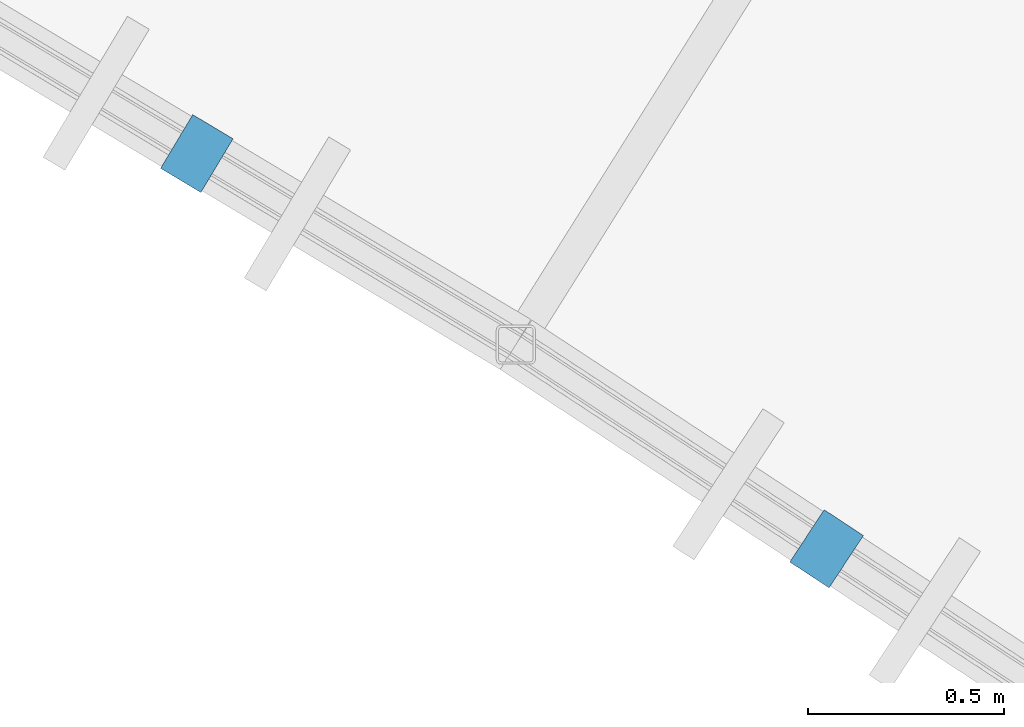
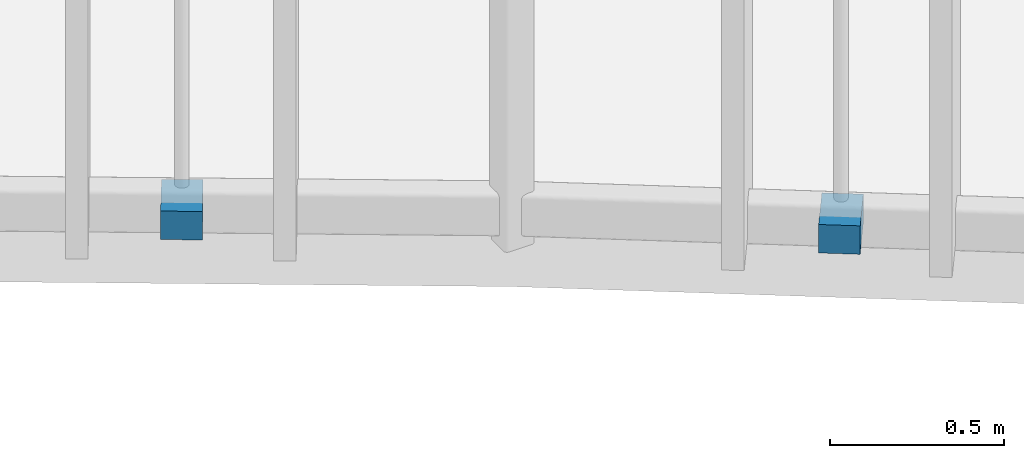
# One storey, part 108 of 123: 2 discrete accessories.
"""IFC4 building model written with IfcOpenShell, lengths in metres."""

from ifc_helpers import new_model, si_unit, direction, frame, origin, origin_2d, place, context, subcontext, project, spatial, rectangle, extrude, material, type_object, element, save


model = new_model("IFC4")

# Units and contexts
model_context = context("Model", 3, precision=1e-05, world=origin(), true_north=direction((0.0, 1.0)))
body_context = subcontext(model_context, "Body", "Model", "MODEL_VIEW")
ifc_project = project(units=[si_unit("LENGTHUNIT", "METRE"), si_unit("AREAUNIT", "SQUARE_METRE"), si_unit("VOLUMEUNIT", "CUBIC_METRE"), si_unit("PLANEANGLEUNIT", "RADIAN"), si_unit("MASSUNIT", "GRAM", prefix="KILO"), si_unit("POWERUNIT", "WATT"), si_unit("THERMODYNAMICTEMPERATUREUNIT", "KELVIN")], contexts=[model_context])

# Site, building, storey
site_placement = place(None, origin())
site = spatial("IfcSite", under=ifc_project, at=site_placement, CompositionType="ELEMENT")
building_placement = place(site_placement, origin())
building = spatial("IfcBuilding", under=site, at=building_placement, Name="Ruvembo Vaulted Housing Court", CompositionType="ELEMENT")
storey_placement = place(building_placement, frame((0.0, 0.0, 7.699951171875)))
storey = spatial("IfcBuildingStorey", under=building, at=storey_placement, Name="L02", CompositionType="ELEMENT", Elevation=7.699951171875)

# Discrete accessories
ifc_material = material(Name="Stainless Steel Grade 316", Category="steel")
discrete_accessory_type = type_object("IfcDiscreteAccessoryType", Name="ACC-BRACKET-SS", PredefinedType="BRACKET", material=ifc_material)
for number, where, z_axis, x_axis, name in (
    (1, (140.528076171875, 89.283203125, 0.030029296875), (0.0, 0.0, 1.0), (-0.513825768915, -0.857894561819, 0.0), "Stainless Louvre Rail Bracket #292"),
    (2, (142.137939453125, 88.27294921875, 0.030029296875), (0.0, 0.0, 1.0), (-0.548964466299, -0.835845688355, 0.0), "Stainless Louvre Rail Bracket #293"),
):
    element("IfcDiscreteAccessory", number, at=place(storey_placement, frame(where, z_axis=z_axis, x_axis=x_axis)), inside=storey, type_object=discrete_accessory_type, Name=name, PredefinedType="BRACKET", context=body_context, shape_type="SweptSolid", body=[
        extrude(rectangle(XDim=0.159912109375, YDim=0.1201171875, at=origin_2d()), origin(), (0.0, 0.0, 1.0), 0.10009765625),
    ])

save(model, "model.ifc")
